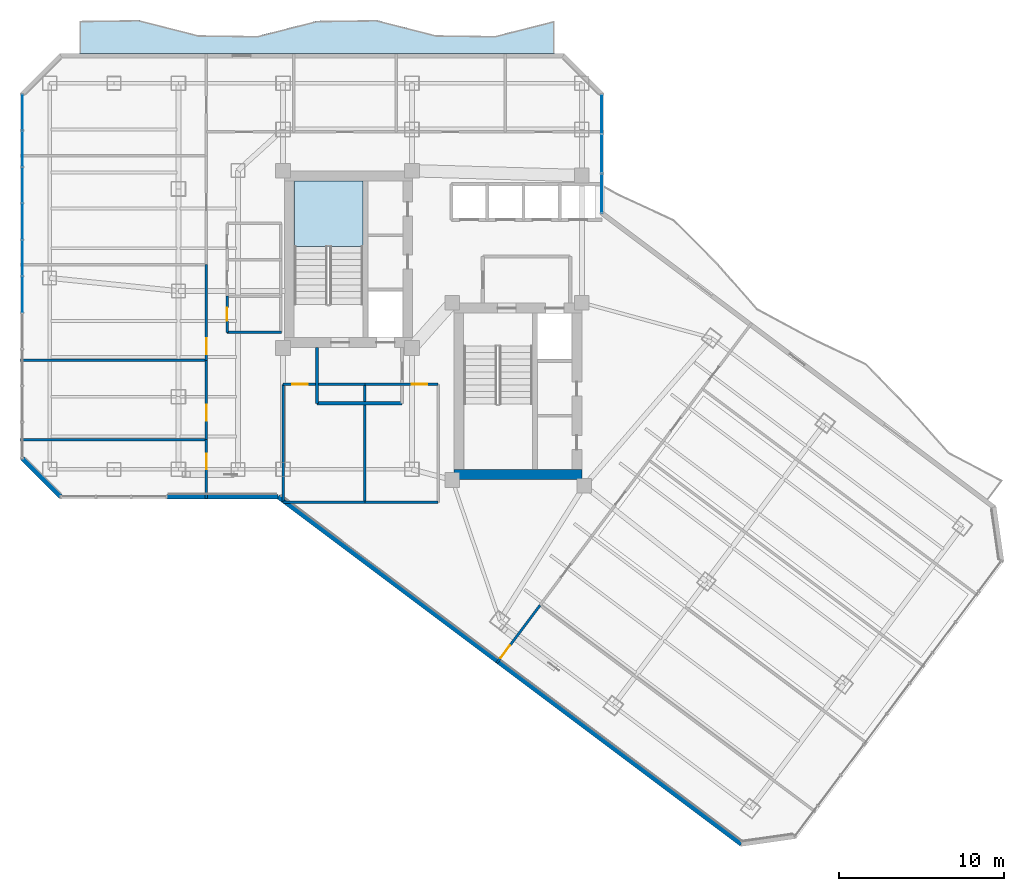
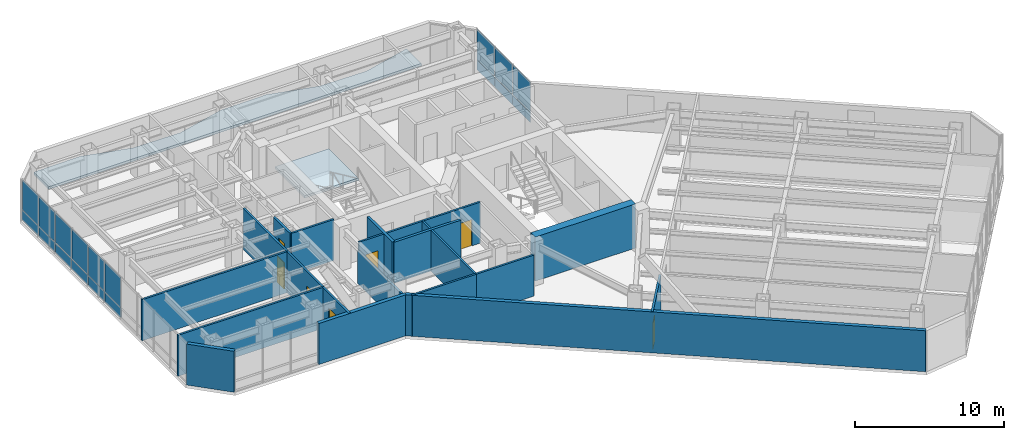
# One storey, part 23 of 31: 20 walls, 18 plates, 7 doors, 2 slabs, 7 openings, 3 elements without a shape of their own.
"""IFC4 building model written with IfcOpenShell, lengths in metres."""

from ifc_helpers import new_model, si_unit, direction, frame, frame_2d, origin, origin_2d, place, context, subcontext, project, spatial, polyline, rectangle, outline, extrude, material, layer, layer_set, type_object, element, fill, aggregate, save


model = new_model("IFC4")

# Units and contexts
model_context = context("Model", 3, precision=1e-05, world=origin(), true_north=direction((0.0, 1.0)))
body_context = subcontext(model_context, "Body", "Model", "MODEL_VIEW")
ifc_project = project(units=[si_unit("LENGTHUNIT", "METRE"), si_unit("AREAUNIT", "SQUARE_METRE"), si_unit("VOLUMEUNIT", "CUBIC_METRE"), si_unit("PLANEANGLEUNIT", "RADIAN"), si_unit("MASSUNIT", "GRAM", prefix="KILO")], contexts=[model_context])

# Site, building, storey
site_placement = place(None, origin())
site = spatial("IfcSite", under=ifc_project, at=site_placement, CompositionType="ELEMENT")
building_placement = place(site_placement, origin())
building = spatial("IfcBuilding", under=site, at=building_placement, Name="Hatsunagi Terrace Concourse", CompositionType="ELEMENT")
storey_placement = place(building_placement, frame((0.0, 0.0, 122.85009765625)))
storey = spatial("IfcBuildingStorey", under=building, at=storey_placement, Name="L32", CompositionType="ELEMENT", Elevation=122.85009765625)

# Curtain wall, plates
ifc_material_1 = material(Name="Anodised Aluminium Alloy 6063-T5", Category="aluminium")
ifc_layer_1 = layer(ifc_material_1, 0.199951171875)
ifc_layer_set_1 = layer_set([ifc_layer_1], Name="OfficeZone1_CW03")
curtain_wall_type = type_object("IfcCurtainWallType", Name="OfficeZone1_CW03", PredefinedType="NOTDEFINED", material=ifc_layer_set_1)
curtain_wall_1_placement = place(storey_placement, origin())
curtain_wall_1 = element("IfcCurtainWall", 1, at=curtain_wall_1_placement, inside=storey, type_object=curtain_wall_type, Name="Unitised Curtain Wall CW-03 CW-L32-09", PredefinedType="NOTDEFINED")
ifc_material_2 = material(Name="Warm Terracotta Ceramic Spandrel Panel", Category="masonry")
ifc_layer_2 = layer(ifc_material_2, 0.031982421875)
ifc_layer_set_2 = layer_set([ifc_layer_2], Name="CurtainWallSpandrelPanel_32")
plate_type_1 = type_object("IfcPlateType", Name="CurtainWallSpandrelPanel_32", PredefinedType="SHEET", material=ifc_layer_set_2)
plate_1_placement = place(storey_placement, frame((9.739990234375, 35.7958984375, 0.02978515625), z_axis=(0.0, 0.0, 1.0), x_axis=(0.0, 1.0, 0.0)))
plate_1 = element("IfcPlate", 2, at=plate_1_placement, type_object=plate_type_1, Name="Terracotta Spandrel Panel SPN-01", PredefinedType="SHEET", context=body_context, shape_type="SweptSolid", body=[
    extrude(rectangle(XDim=2.153076171875, YDim=0.031982421875, at=origin_2d()), origin(), (0.0, 0.0, 1.0), 0.7900390625),
])
plate_2_placement = place(storey_placement, frame((9.739990234375, 38.00390625, 0.02978515625), z_axis=(0.0, 0.0, 1.0), x_axis=(0.0, 1.0, 0.0)))
plate_2 = element("IfcPlate", 3, at=plate_2_placement, type_object=plate_type_1, Name="Terracotta Spandrel Panel SPN-01", PredefinedType="SHEET", context=body_context, shape_type="SweptSolid", body=[
    extrude(rectangle(XDim=2.153076171875, YDim=0.031982421875, at=origin_2d()), origin(), (0.0, 0.0, 1.0), 0.7900390625),
])
plate_3_placement = place(storey_placement, frame((9.739990234375, 40.212890625, 0.02978515625), z_axis=(0.0, 0.0, 1.0), x_axis=(0.0, 1.0, 0.0)))
plate_3 = element("IfcPlate", 4, at=plate_3_placement, type_object=plate_type_1, Name="Terracotta Spandrel Panel SPN-01", PredefinedType="SHEET", context=body_context, shape_type="SweptSolid", body=[
    extrude(rectangle(XDim=2.153076171875, YDim=0.031982421875, at=origin_2d()), origin(), (0.0, 0.0, 1.0), 0.7900390625),
])
plate_4_placement = place(storey_placement, frame((9.739990234375, 42.4208984375, 0.02978515625), z_axis=(0.0, 0.0, 1.0), x_axis=(0.0, 1.0, 0.0)))
plate_4 = element("IfcPlate", 5, at=plate_4_placement, type_object=plate_type_1, Name="Terracotta Spandrel Panel SPN-01", PredefinedType="SHEET", context=body_context, shape_type="SweptSolid", body=[
    extrude(rectangle(XDim=2.153076171875, YDim=0.031982421875, at=origin_2d()), origin(), (0.0, 0.0, 1.0), 0.7900390625),
])
plate_5_placement = place(storey_placement, frame((9.739990234375, 44.62890625, 0.02978515625), z_axis=(0.0, 0.0, 1.0), x_axis=(0.0, 1.0, 0.0)))
plate_5 = element("IfcPlate", 6, at=plate_5_placement, type_object=plate_type_1, Name="Terracotta Spandrel Panel SPN-01", PredefinedType="SHEET", context=body_context, shape_type="SweptSolid", body=[
    extrude(rectangle(XDim=2.153076171875, YDim=0.031982421875, at=origin_2d()), origin(), (0.0, 0.0, 1.0), 0.7900390625),
])
plate_6_placement = place(storey_placement, frame((9.739990234375, 46.837890625, 0.02978515625), z_axis=(0.0, 0.0, 1.0), x_axis=(0.0, 1.0, 0.0)))
plate_6 = element("IfcPlate", 7, at=plate_6_placement, type_object=plate_type_1, Name="Terracotta Spandrel Panel SPN-01", PredefinedType="SHEET", context=body_context, shape_type="SweptSolid", body=[
    extrude(rectangle(XDim=2.153076171875, YDim=0.031982421875, at=origin_2d()), origin(), (0.0, 0.0, 1.0), 0.7900390625),
])

curtain_wall_2_placement = place(storey_placement, origin())
curtain_wall_2 = element("IfcCurtainWall", 8, at=curtain_wall_2_placement, inside=storey, type_object=curtain_wall_type, Name="Unitised Curtain Wall CW-03 CW-L32-13", PredefinedType="NOTDEFINED")
plate_7_placement = place(storey_placement, frame((44.860107421875, 46.739990234375, 0.02978515625), z_axis=(0.0, 0.0, 1.0), x_axis=(0.0, -1.0, 0.0)))
plate_7 = element("IfcPlate", 9, at=plate_7_placement, type_object=plate_type_1, Name="Terracotta Spandrel Panel SPN-01", PredefinedType="SHEET", context=body_context, shape_type="SweptSolid", body=[
    extrude(rectangle(XDim=2.34912109375, YDim=0.031982421875, at=origin_2d()), origin(), (0.0, 0.0, 1.0), 0.7900390625),
])
plate_8_placement = place(storey_placement, frame((44.860107421875, 44.3359375, 0.02978515625), z_axis=(0.0, 0.0, 1.0), x_axis=(0.0, -1.0, 0.0)))
plate_8 = element("IfcPlate", 10, at=plate_8_placement, type_object=plate_type_1, Name="Terracotta Spandrel Panel SPN-01", PredefinedType="SHEET", context=body_context, shape_type="SweptSolid", body=[
    extrude(rectangle(XDim=2.34912109375, YDim=0.031982421875, at=origin_2d()), origin(), (0.0, 0.0, 1.0), 0.7900390625),
])
plate_9_placement = place(storey_placement, frame((44.860107421875, 41.931884765625, 0.02978515625), z_axis=(0.0, 0.0, 1.0), x_axis=(0.0, -1.0, 0.0)))
plate_9 = element("IfcPlate", 11, at=plate_9_placement, type_object=plate_type_1, Name="Terracotta Spandrel Panel SPN-01", PredefinedType="SHEET", context=body_context, shape_type="SweptSolid", body=[
    extrude(rectangle(XDim=2.34912109375, YDim=0.031982421875, at=origin_2d()), origin(), (0.0, 0.0, 1.0), 0.7900390625),
])

# Plate
ifc_material_3 = material(Name="Low-E Double Insulating Glass 28mm", Category="glass")
ifc_layer_3 = layer(ifc_material_3, 0.028076171875)
ifc_layer_set_3 = layer_set([ifc_layer_3], Name="CurtainWallVisionGlass_28")
plate_type_2 = type_object("IfcPlateType", Name="CurtainWallVisionGlass_28", PredefinedType="CURTAIN_PANEL", material=ifc_layer_set_3)
plate_10_placement = place(storey_placement, frame((9.739990234375, 35.7958984375, 0.8798828125), z_axis=(0.0, 0.0, 1.0), x_axis=(0.0, 1.0, 0.0)))
plate_10 = element("IfcPlate", 12, at=plate_10_placement, type_object=plate_type_2, Name="Low-E Vision Glass Panel GLZ-01", PredefinedType="CURTAIN_PANEL", context=body_context, shape_type="SweptSolid", body=[
    extrude(rectangle(XDim=2.153076171875, YDim=0.028076171875, at=origin_2d()), origin(), (0.0, 0.0, 1.0), 2.43994140625),
])

plate_11_placement = place(storey_placement, frame((9.739990234375, 38.00390625, 0.8798828125), z_axis=(0.0, 0.0, 1.0), x_axis=(0.0, 1.0, 0.0)))
plate_11 = element("IfcPlate", 13, at=plate_11_placement, type_object=plate_type_2, Name="Low-E Vision Glass Panel GLZ-01", PredefinedType="CURTAIN_PANEL", context=body_context, shape_type="SweptSolid", body=[
    extrude(rectangle(XDim=2.153076171875, YDim=0.028076171875, at=origin_2d()), origin(), (0.0, 0.0, 1.0), 2.43994140625),
])

plate_12_placement = place(storey_placement, frame((9.739990234375, 40.212890625, 0.8798828125), z_axis=(0.0, 0.0, 1.0), x_axis=(0.0, 1.0, 0.0)))
plate_12 = element("IfcPlate", 14, at=plate_12_placement, type_object=plate_type_2, Name="Low-E Vision Glass Panel GLZ-01", PredefinedType="CURTAIN_PANEL", context=body_context, shape_type="SweptSolid", body=[
    extrude(rectangle(XDim=2.153076171875, YDim=0.028076171875, at=origin_2d()), origin(), (0.0, 0.0, 1.0), 2.43994140625),
])

plate_13_placement = place(storey_placement, frame((9.739990234375, 42.4208984375, 0.8798828125), z_axis=(0.0, 0.0, 1.0), x_axis=(0.0, 1.0, 0.0)))
plate_13 = element("IfcPlate", 15, at=plate_13_placement, type_object=plate_type_2, Name="Low-E Vision Glass Panel GLZ-01", PredefinedType="CURTAIN_PANEL", context=body_context, shape_type="SweptSolid", body=[
    extrude(rectangle(XDim=2.153076171875, YDim=0.028076171875, at=origin_2d()), origin(), (0.0, 0.0, 1.0), 2.43994140625),
])

plate_14_placement = place(storey_placement, frame((9.739990234375, 44.62890625, 0.8798828125), z_axis=(0.0, 0.0, 1.0), x_axis=(0.0, 1.0, 0.0)))
plate_14 = element("IfcPlate", 16, at=plate_14_placement, type_object=plate_type_2, Name="Low-E Vision Glass Panel GLZ-01", PredefinedType="CURTAIN_PANEL", context=body_context, shape_type="SweptSolid", body=[
    extrude(rectangle(XDim=2.153076171875, YDim=0.028076171875, at=origin_2d()), origin(), (0.0, 0.0, 1.0), 2.43994140625),
])

plate_15_placement = place(storey_placement, frame((9.739990234375, 46.837890625, 0.8798828125), z_axis=(0.0, 0.0, 1.0), x_axis=(0.0, 1.0, 0.0)))
plate_15 = element("IfcPlate", 17, at=plate_15_placement, type_object=plate_type_2, Name="Low-E Vision Glass Panel GLZ-01", PredefinedType="CURTAIN_PANEL", context=body_context, shape_type="SweptSolid", body=[
    extrude(rectangle(XDim=2.153076171875, YDim=0.028076171875, at=origin_2d()), origin(), (0.0, 0.0, 1.0), 2.43994140625),
])

aggregate(curtain_wall_1, [plate_1, plate_10, plate_2, plate_11, plate_3, plate_12, plate_4, plate_13, plate_5, plate_14, plate_6, plate_15])

plate_16_placement = place(storey_placement, frame((44.860107421875, 46.739990234375, 0.8798828125), z_axis=(0.0, 0.0, 1.0), x_axis=(0.0, -1.0, 0.0)))
plate_16 = element("IfcPlate", 18, at=plate_16_placement, type_object=plate_type_2, Name="Low-E Vision Glass Panel GLZ-01", PredefinedType="CURTAIN_PANEL", context=body_context, shape_type="SweptSolid", body=[
    extrude(rectangle(XDim=2.34912109375, YDim=0.028076171875, at=origin_2d()), origin(), (0.0, 0.0, 1.0), 2.43994140625),
])

plate_17_placement = place(storey_placement, frame((44.860107421875, 44.3359375, 0.8798828125), z_axis=(0.0, 0.0, 1.0), x_axis=(0.0, -1.0, 0.0)))
plate_17 = element("IfcPlate", 19, at=plate_17_placement, type_object=plate_type_2, Name="Low-E Vision Glass Panel GLZ-01", PredefinedType="CURTAIN_PANEL", context=body_context, shape_type="SweptSolid", body=[
    extrude(rectangle(XDim=2.34912109375, YDim=0.028076171875, at=origin_2d()), origin(), (0.0, 0.0, 1.0), 2.43994140625),
])

plate_18_placement = place(storey_placement, frame((44.860107421875, 41.931884765625, 0.8798828125), z_axis=(0.0, 0.0, 1.0), x_axis=(0.0, -1.0, 0.0)))
plate_18 = element("IfcPlate", 20, at=plate_18_placement, type_object=plate_type_2, Name="Low-E Vision Glass Panel GLZ-01", PredefinedType="CURTAIN_PANEL", context=body_context, shape_type="SweptSolid", body=[
    extrude(rectangle(XDim=2.34912109375, YDim=0.028076171875, at=origin_2d()), origin(), (0.0, 0.0, 1.0), 2.43994140625),
])

aggregate(curtain_wall_2, [plate_7, plate_16, plate_8, plate_17, plate_9, plate_18])

# Stair, slab
ifc_material_4 = material(Name="Concrete Fc42", Category="concrete")
stair_type = type_object("IfcStairType", Name="DoglegExitStair_Tower2000_20R_180", PredefinedType="HALF_TURN_STAIR", material=ifc_material_4)
stair_placement = place(storey_placement, origin())
stair = element("IfcStair", 21, at=stair_placement, inside=storey, type_object=stair_type, Name="L32 Core A Protected Exit Stair ST-A", PredefinedType="HALF_TURN_STAIR")
ifc_material_5 = material(Name="Concrete Fc42", Category="concrete")
ifc_layer_4 = layer(ifc_material_5, 0.199951171875)
ifc_layer_set_4 = layer_set([ifc_layer_4], Name="DoglegStairLanding_Tower2000")
slab_type_1 = type_object("IfcSlabType", Name="DoglegStairLanding_Tower2000", PredefinedType="LANDING", material=ifc_layer_set_4)
slab_1_placement = place(storey_placement, frame((0.0, 0.0, 1.599853515625)))
slab_1 = element("IfcSlab", 22, at=slab_1_placement, type_object=slab_type_1, Name="ST-A landing 1", PredefinedType="LANDING", context=body_context, shape_type="SweptSolid", body=[
    extrude(outline(polyline([(30.3798828125, 38.7099609375), (30.3798828125, 42.659912109375), (26.22998046875, 42.659912109375), (26.22998046875, 38.7099609375), (30.3798828125, 38.7099609375)])), origin(), (0.0, 0.0, 1.0), 0.199951171875),
])
aggregate(stair, [slab_1])

# Slab
ifc_material_6 = material(Name="Concrete Fc42", Category="concrete")
ifc_layer_5 = layer(ifc_material_6, 0.199951171875)
ifc_layer_set_5 = layer_set([ifc_layer_5], Name="EngawaBalconySlab_Fc42_200")
slab_type_2 = type_object("IfcSlabType", Name="EngawaBalconySlab_Fc42_200", PredefinedType="FLOOR", material=ifc_layer_set_5)
slab_2_placement = place(storey_placement, frame((0.0, 0.0, -0.2001953125)))
element("IfcSlab", 23, at=slab_2_placement, inside=storey, type_object=slab_type_2, Name="Engawa Balcony Slab BAL-L32-BN", PredefinedType="FLOOR", context=body_context, shape_type="SweptSolid", body=[
    extrude(outline(polyline([(13.199951171875, 52.385009765625), (13.199951171875, 50.39990234375), (42.0, 50.39990234375), (42.0, 52.385009765625), (38.39990234375, 51.467041015625), (34.800048828125, 51.514892578125), (31.199951171875, 52.43310546875), (27.60009765625, 52.385009765625), (24.0, 51.467041015625), (20.39990234375, 51.514892578125), (16.800048828125, 52.43310546875), (13.199951171875, 52.385009765625)])), origin(), (0.0, 0.0, 1.0), 0.2001953125),
])

# Walls
ifc_material_7 = material(Name="Concrete Fc48", Category="concrete")
ifc_layer_6 = layer(ifc_material_7, 0.60009765625)
ifc_layer_set_6 = layer_set([ifc_layer_6], Name="CoreShearWall_Fc48_600")
wall_type_1 = type_object("IfcWallType", Name="CoreShearWall_Fc48_600", PredefinedType="SHEAR", material=ifc_layer_set_6)
wall_1_placement = place(storey_placement, frame((35.889892578125, 24.889892578125, 0.0), z_axis=(0.0, 0.0, 1.0), x_axis=(1.0, 0.0, 0.0)))
element("IfcWall", 24, at=wall_1_placement, inside=storey, type_object=wall_type_1, Name="Core B Shear Wall S L32", PredefinedType="SHEAR", context=body_context, shape_type="SweptSolid", body=[
    extrude(rectangle(XDim=7.760009765625, YDim=0.60009765625, at=frame_2d((3.8798828125, 0.0))), origin(), (0.0, 0.0, 1.0), 3.599853515625),
])
ifc_material_8 = material(Name="Acoustic mineral board", Category="gypsum")
ifc_layer_7 = layer(ifc_material_8, 0.14990234375)
ifc_layer_set_7 = layer_set([ifc_layer_7], Name="PartitionWall_EI60_150")
wall_type_2 = type_object("IfcWallType", Name="PartitionWall_EI60_150", PredefinedType="PARTITIONING", material=ifc_layer_set_7)
wall_2_placement = place(storey_placement, frame((22.14990234375, 33.5, 0.0), z_axis=(0.0, 0.0, 1.0), x_axis=(1.0, 0.0, 0.0)))
element("IfcWall", 25, at=wall_2_placement, inside=storey, type_object=wall_type_2, Name="Interior Partition IW-L32-017", PredefinedType="PARTITIONING", context=body_context, shape_type="SweptSolid", body=[
    extrude(rectangle(XDim=3.300048828125, YDim=0.14990234375, at=frame_2d((1.64990234375, 0.0))), origin(), (0.0, 0.0, 1.0), 3.349853515625),
])

# Wall, opening, door
wall_3_placement = place(storey_placement, frame((22.14990234375, 33.5, 0.0), z_axis=(0.0, 0.0, 1.0), x_axis=(0.0, 1.0, 0.0)))
wall_3 = element("IfcWall", 26, at=wall_3_placement, inside=storey, type_object=wall_type_2, Name="Interior Partition IW-L32-022", PredefinedType="PARTITIONING", context=body_context, shape_type="SweptSolid", body=[
    extrude(rectangle(XDim=2.199951171875, YDim=0.14990234375, at=frame_2d((1.10009765625, 0.0))), origin(), (0.0, 0.0, 1.0), 3.349853515625),
])
opening_1_placement = place(wall_3_placement, frame((0.699951171875, 0.0, 0.0)))
opening_1 = element("IfcOpeningElement", 27, at=opening_1_placement, cuts=wall_3, Name="Opening DR-080", PredefinedType="OPENING", context=body_context, shape_type="SweptSolid", body=[
    extrude(rectangle(XDim=0.800048828125, YDim=2.06005859375, at=frame_2d((0.39990234375, 1.030029296875))), frame((0.0, 0.0849609375, 0.0), z_axis=(0.0, -1.0, 0.0), x_axis=(1.0, 0.0, 0.0)), (0.0, 0.0, 1.0), 0.169921875),
])
ifc_material_9 = material(Name="Hardwood timber", Category="wood")
door_type_1 = type_object("IfcDoorType", Name="BathroomDoor_800", OperationType="NOTDEFINED", PredefinedType="DOOR", material=ifc_material_9)
door_1_placement = place(opening_1_placement, origin())
door_1 = element("IfcDoor", 28, at=door_1_placement, inside=storey, type_object=door_type_1, Name="Accessible WC Door L32", OperationType="SINGLE_SWING_RIGHT", OverallHeight=2.06005859375, OverallWidth=0.800048828125, PredefinedType="DOOR", context=body_context, shape_type="SweptSolid", body=[
    extrude(rectangle(XDim=0.800048828125, YDim=2.06005859375, at=frame_2d((0.39990234375, 1.030029296875))), frame((0.0, 0.02490234375, 0.0), z_axis=(0.0, -1.0, 0.0), x_axis=(1.0, 0.0, 0.0)), (0.0, 0.0, 1.0), 0.050048828125),
])
fill(opening_1, door_1)

# Wall
wall_4_placement = place(storey_placement, frame((25.550048828125, 23.199951171875, 0.0), z_axis=(0.0, 0.0, 1.0), x_axis=(1.0, 0.0, 0.0)))
element("IfcWall", 29, at=wall_4_placement, inside=storey, type_object=wall_type_2, Name="Interior Partition IW-L32-025", PredefinedType="PARTITIONING", context=body_context, shape_type="SweptSolid", body=[
    extrude(rectangle(XDim=4.949951171875, YDim=0.14990234375, at=frame_2d((2.47509765625, 0.0))), origin(), (0.0, 0.0, 1.0), 3.349853515625),
])

# Wall, opening, door
wall_5_placement = place(storey_placement, frame((25.550048828125, 30.35009765625, 0.0), z_axis=(0.0, 0.0, 1.0), x_axis=(1.0, 0.0, 0.0)))
wall_5 = element("IfcWall", 30, at=wall_5_placement, inside=storey, type_object=wall_type_2, Name="Interior Partition IW-L32-026", PredefinedType="PARTITIONING", context=body_context, shape_type="SweptSolid", body=[
    extrude(rectangle(XDim=4.949951171875, YDim=0.14990234375, at=frame_2d((2.47509765625, 0.0))), origin(), (0.0, 0.0, 1.0), 3.349853515625),
])
opening_2_placement = place(wall_5_placement, frame((0.5419921875, 0.0, 0.0)))
opening_2 = element("IfcOpeningElement", 31, at=opening_2_placement, cuts=wall_5, Name="Opening DR-095", PredefinedType="OPENING", context=body_context, shape_type="SweptSolid", body=[
    extrude(rectangle(XDim=0.949951171875, YDim=2.14990234375, at=frame_2d((0.47509765625, 1.074951171875))), frame((0.0, 0.0849609375, 0.0), z_axis=(0.0, -1.0, 0.0), x_axis=(1.0, 0.0, 0.0)), (0.0, 0.0, 1.0), 0.169921875),
])
ifc_material_10 = material(Name="Hardwood timber", Category="wood")
door_type_2 = type_object("IfcDoorType", Name="InteriorSuiteDoor_EI30_950", OperationType="NOTDEFINED", PredefinedType="DOOR", material=ifc_material_10)
door_2_placement = place(opening_2_placement, origin())
door_2 = element("IfcDoor", 32, at=door_2_placement, inside=storey, type_object=door_type_2, Name="Breakout Pantry L32-RECL1 Door", OperationType="SINGLE_SWING_RIGHT", OverallHeight=2.14990234375, OverallWidth=0.949951171875, PredefinedType="DOOR", context=body_context, shape_type="SweptSolid", body=[
    extrude(rectangle(XDim=0.949951171875, YDim=2.14990234375, at=frame_2d((0.47509765625, 1.074951171875))), frame((0.0, 0.02490234375, 0.0), z_axis=(0.0, -1.0, 0.0), x_axis=(1.0, 0.0, 0.0)), (0.0, 0.0, 1.0), 0.050048828125),
])
fill(opening_2, door_2)

# Walls
wall_6_placement = place(storey_placement, frame((25.550048828125, 23.199951171875, 0.0), z_axis=(0.0, 0.0, 1.0), x_axis=(0.0, 1.0, 0.0)))
element("IfcWall", 33, at=wall_6_placement, inside=storey, type_object=wall_type_2, Name="Interior Partition IW-L32-027", PredefinedType="PARTITIONING", context=body_context, shape_type="SweptSolid", body=[
    extrude(rectangle(XDim=7.150146484375, YDim=0.14990234375, at=frame_2d((3.5751953125, 0.0))), origin(), (0.0, 0.0, 1.0), 2.69482421875),
])
wall_7_placement = place(storey_placement, frame((30.5, 23.199951171875, 0.0), z_axis=(0.0, 0.0, 1.0), x_axis=(0.0, 1.0, 0.0)))
element("IfcWall", 34, at=wall_7_placement, inside=storey, type_object=wall_type_2, Name="Interior Partition IW-L32-028", PredefinedType="PARTITIONING", context=body_context, shape_type="SweptSolid", body=[
    extrude(rectangle(XDim=7.150146484375, YDim=0.14990234375, at=frame_2d((3.5751953125, 0.0))), origin(), (0.0, 0.0, 1.0), 3.349853515625),
])
wall_8_placement = place(storey_placement, frame((30.5, 23.199951171875, 0.0), z_axis=(0.0, 0.0, 1.0), x_axis=(1.0, 0.0, 0.0)))
element("IfcWall", 35, at=wall_8_placement, inside=storey, type_object=wall_type_2, Name="Interior Partition IW-L32-029", PredefinedType="PARTITIONING", context=body_context, shape_type="SweptSolid", body=[
    extrude(rectangle(XDim=4.449951171875, YDim=0.14990234375, at=frame_2d((2.22509765625, 0.0))), origin(), (0.0, 0.0, 1.0), 3.349853515625),
])

# Wall, opening, door
wall_9_placement = place(storey_placement, frame((30.5, 30.35009765625, 0.0), z_axis=(0.0, 0.0, 1.0), x_axis=(1.0, 0.0, 0.0)))
wall_9 = element("IfcWall", 36, at=wall_9_placement, inside=storey, type_object=wall_type_2, Name="Interior Partition IW-L32-030", PredefinedType="PARTITIONING", context=body_context, shape_type="SweptSolid", body=[
    extrude(rectangle(XDim=4.449951171875, YDim=0.14990234375, at=frame_2d((2.22509765625, 0.0))), origin(), (0.0, 0.0, 1.0), 3.349853515625),
])
opening_3_placement = place(wall_9_placement, frame((2.845947265625, 0.0, 0.0)))
opening_3 = element("IfcOpeningElement", 37, at=opening_3_placement, cuts=wall_9, Name="Opening DR-095", PredefinedType="OPENING", context=body_context, shape_type="SweptSolid", body=[
    extrude(rectangle(XDim=0.949951171875, YDim=2.14990234375, at=frame_2d((0.47509765625, 1.074951171875))), frame((0.0, 0.0849609375, 0.0), z_axis=(0.0, -1.0, 0.0), x_axis=(1.0, 0.0, 0.0)), (0.0, 0.0, 1.0), 0.169921875),
])
door_3_placement = place(opening_3_placement, origin())
door_3 = element("IfcDoor", 38, at=door_3_placement, inside=storey, type_object=door_type_2, Name="Focus Room L32-RECL2 Door", OperationType="SINGLE_SWING_RIGHT", OverallHeight=2.14990234375, OverallWidth=0.949951171875, PredefinedType="DOOR", context=body_context, shape_type="SweptSolid", body=[
    extrude(rectangle(XDim=0.949951171875, YDim=2.14990234375, at=frame_2d((0.47509765625, 1.074951171875))), frame((0.0, 0.02490234375, 0.0), z_axis=(0.0, -1.0, 0.0), x_axis=(1.0, 0.0, 0.0)), (0.0, 0.0, 1.0), 0.050048828125),
])
fill(opening_3, door_3)

# Wall
wall_10_placement = place(storey_placement, frame((9.639892578125, 27.0, 0.0), z_axis=(0.0, 0.0, 1.0), x_axis=(1.0, 0.0, 0.0)))
element("IfcWall", 39, at=wall_10_placement, inside=storey, type_object=wall_type_2, Name="Interior Partition IW-L32-032", PredefinedType="PARTITIONING", context=body_context, shape_type="SweptSolid", body=[
    extrude(rectangle(XDim=11.260009765625, YDim=0.14990234375, at=frame_2d((5.6298828125, 0.0))), origin(), (0.0, 0.0, 1.0), 3.349853515625),
])

# Wall, opening, door
wall_11_placement = place(storey_placement, frame((20.89990234375, 23.43994140625, 0.0), z_axis=(0.0, 0.0, 1.0), x_axis=(0.0, 1.0, 0.0)))
wall_11 = element("IfcWall", 40, at=wall_11_placement, inside=storey, type_object=wall_type_2, Name="Interior Partition IW-L32-033", PredefinedType="PARTITIONING", context=body_context, shape_type="SweptSolid", body=[
    extrude(rectangle(XDim=3.56005859375, YDim=0.14990234375, at=frame_2d((1.780029296875, 0.0))), origin(), (0.0, 0.0, 1.0), 3.349853515625),
])
opening_4_placement = place(wall_11_placement, frame((1.7490234375, 0.0, 0.0)))
opening_4 = element("IfcOpeningElement", 41, at=opening_4_placement, cuts=wall_11, Name="Opening DR-095", PredefinedType="OPENING", context=body_context, shape_type="SweptSolid", body=[
    extrude(rectangle(XDim=0.949951171875, YDim=2.14990234375, at=frame_2d((0.47509765625, 1.074951171875))), frame((0.0, 0.0849609375, 0.0), z_axis=(0.0, -1.0, 0.0), x_axis=(1.0, 0.0, 0.0)), (0.0, 0.0, 1.0), 0.169921875),
])
door_4_placement = place(opening_4_placement, origin())
door_4 = element("IfcDoor", 42, at=door_4_placement, inside=storey, type_object=door_type_2, Name="Focus Room L32-OW1 Door", OperationType="SINGLE_SWING_RIGHT", OverallHeight=2.14990234375, OverallWidth=0.949951171875, PredefinedType="DOOR", context=body_context, shape_type="SweptSolid", body=[
    extrude(rectangle(XDim=0.949951171875, YDim=2.14990234375, at=frame_2d((0.47509765625, 1.074951171875))), frame((0.0, 0.02490234375, 0.0), z_axis=(0.0, -1.0, 0.0), x_axis=(1.0, 0.0, 0.0)), (0.0, 0.0, 1.0), 0.050048828125),
])
fill(opening_4, door_4)

# Wall
wall_12_placement = place(storey_placement, frame((9.639892578125, 31.800048828125, 0.0), z_axis=(0.0, 0.0, 1.0), x_axis=(1.0, 0.0, 0.0)))
element("IfcWall", 43, at=wall_12_placement, inside=storey, type_object=wall_type_2, Name="Interior Partition IW-L32-034", PredefinedType="PARTITIONING", context=body_context, shape_type="SweptSolid", body=[
    extrude(rectangle(XDim=11.260009765625, YDim=0.14990234375, at=frame_2d((5.6298828125, 0.0))), origin(), (0.0, 0.0, 1.0), 3.349853515625),
])

# Wall, opening, door
wall_13_placement = place(storey_placement, frame((20.89990234375, 27.0, 0.0), z_axis=(0.0, 0.0, 1.0), x_axis=(0.0, 1.0, 0.0)))
wall_13 = element("IfcWall", 44, at=wall_13_placement, inside=storey, type_object=wall_type_2, Name="Interior Partition IW-L32-035", PredefinedType="PARTITIONING", context=body_context, shape_type="SweptSolid", body=[
    extrude(rectangle(XDim=4.800048828125, YDim=0.14990234375, at=frame_2d((2.39990234375, 0.0))), origin(), (0.0, 0.0, 1.0), 3.349853515625),
])
opening_5_placement = place(wall_13_placement, frame((1.153076171875, 0.0, 0.0)))
opening_5 = element("IfcOpeningElement", 45, at=opening_5_placement, cuts=wall_13, Name="Opening DR-095", PredefinedType="OPENING", context=body_context, shape_type="SweptSolid", body=[
    extrude(rectangle(XDim=0.949951171875, YDim=2.14990234375, at=frame_2d((0.47509765625, 1.074951171875))), frame((0.0, 0.0849609375, 0.0), z_axis=(0.0, -1.0, 0.0), x_axis=(1.0, 0.0, 0.0)), (0.0, 0.0, 1.0), 0.169921875),
])
door_5_placement = place(opening_5_placement, origin())
door_5 = element("IfcDoor", 46, at=door_5_placement, inside=storey, type_object=door_type_2, Name="Executive Office L32-OW2 Door", OperationType="SINGLE_SWING_RIGHT", OverallHeight=2.14990234375, OverallWidth=0.949951171875, PredefinedType="DOOR", context=body_context, shape_type="SweptSolid", body=[
    extrude(rectangle(XDim=0.949951171875, YDim=2.14990234375, at=frame_2d((0.47509765625, 1.074951171875))), frame((0.0, 0.02490234375, 0.0), z_axis=(0.0, -1.0, 0.0), x_axis=(1.0, 0.0, 0.0)), (0.0, 0.0, 1.0), 0.050048828125),
])
fill(opening_5, door_5)

wall_14_placement = place(storey_placement, frame((20.89990234375, 31.800048828125, 0.0), z_axis=(0.0, 0.0, 1.0), x_axis=(0.0, 1.0, 0.0)))
wall_14 = element("IfcWall", 47, at=wall_14_placement, inside=storey, type_object=wall_type_2, Name="Interior Partition IW-L32-037", PredefinedType="PARTITIONING", context=body_context, shape_type="SweptSolid", body=[
    extrude(rectangle(XDim=5.800048828125, YDim=0.14990234375, at=frame_2d((2.89990234375, 0.0))), origin(), (0.0, 0.0, 1.0), 3.349853515625),
])
opening_6_placement = place(wall_14_placement, frame((0.3798828125, 0.0, 0.0)))
opening_6 = element("IfcOpeningElement", 48, at=opening_6_placement, cuts=wall_14, Name="Opening DR-095", PredefinedType="OPENING", context=body_context, shape_type="SweptSolid", body=[
    extrude(rectangle(XDim=0.949951171875, YDim=2.14990234375, at=frame_2d((0.47509765625, 1.074951171875))), frame((0.0, 0.0849609375, 0.0), z_axis=(0.0, -1.0, 0.0), x_axis=(1.0, 0.0, 0.0)), (0.0, 0.0, 1.0), 0.169921875),
])
door_6_placement = place(opening_6_placement, origin())
door_6 = element("IfcDoor", 49, at=door_6_placement, inside=storey, type_object=door_type_2, Name="Team Innovation Studio L32-OW3 Door", OperationType="SINGLE_SWING_RIGHT", OverallHeight=2.14990234375, OverallWidth=0.949951171875, PredefinedType="DOOR", context=body_context, shape_type="SweptSolid", body=[
    extrude(rectangle(XDim=0.949951171875, YDim=2.14990234375, at=frame_2d((0.47509765625, 1.074951171875))), frame((0.0, 0.02490234375, 0.0), z_axis=(0.0, -1.0, 0.0), x_axis=(1.0, 0.0, 0.0)), (0.0, 0.0, 1.0), 0.050048828125),
])
fill(opening_6, door_6)

wall_15_placement = place(storey_placement, frame((38.50390625, 13.471923828125, 0.0), z_axis=(0.0, 0.0, 1.0), x_axis=(0.600026876565, 0.799979841871, 0.0)))
wall_15 = element("IfcWall", 50, at=wall_15_placement, inside=storey, type_object=wall_type_2, Name="Interior Partition IW-L32-049", PredefinedType="PARTITIONING", context=body_context, shape_type="SweptSolid", body=[
    extrude(rectangle(XDim=4.360107421875, YDim=0.14990234375, at=frame_2d((2.18017578125, 0.0))), origin(), (0.0, 0.0, 1.0), 3.349853515625),
])
opening_7_placement = place(wall_15_placement, frame((0.3798828125, 0.0, 0.0)))
opening_7 = element("IfcOpeningElement", 51, at=opening_7_placement, cuts=wall_15, Name="Opening DR-095", PredefinedType="OPENING", context=body_context, shape_type="SweptSolid", body=[
    extrude(rectangle(XDim=0.949951171875, YDim=2.14990234375, at=frame_2d((0.47509765625, 1.074951171875))), frame((0.0, 0.0849609375, 0.0), z_axis=(0.0, -1.0, 0.0), x_axis=(1.0, 0.0, 0.0)), (0.0, 0.0, 1.0), 0.169921875),
])
door_7_placement = place(opening_7_placement, origin())
door_7 = element("IfcDoor", 52, at=door_7_placement, inside=storey, type_object=door_type_2, Name="Focus Room L32-OSE1 Door", OperationType="SINGLE_SWING_RIGHT", OverallHeight=2.14990234375, OverallWidth=0.949951171875, PredefinedType="DOOR", context=body_context, shape_type="SweptSolid", body=[
    extrude(rectangle(XDim=0.949951171875, YDim=2.14990234375, at=frame_2d((0.47509765625, 1.074951171875))), frame((0.0, 0.02490234375, 0.0), z_axis=(0.0, -1.0, 0.0), x_axis=(1.0, 0.0, 0.0)), (0.0, 0.0, 1.0), 0.050048828125),
])
fill(opening_7, door_7)

# Walls
ifc_material_11 = material(Name="Acoustic mineral board", Category="gypsum")
ifc_layer_8 = layer(ifc_material_11, 0.199951171875)
ifc_layer_set_8 = layer_set([ifc_layer_8], Name="ShaftWall_EI120_200")
wall_type_3 = type_object("IfcWallType", Name="ShaftWall_EI120_200", PredefinedType="STANDARD", material=ifc_layer_set_8)
wall_16_placement = place(storey_placement, frame((27.60009765625, 29.199951171875, 0.0), z_axis=(0.0, 0.0, 1.0), x_axis=(1.0, 0.0, 0.0)))
element("IfcWall", 53, at=wall_16_placement, inside=storey, type_object=wall_type_3, Name="Interior Partition IW-L32-005", PredefinedType="STANDARD", context=body_context, shape_type="SweptSolid", body=[
    extrude(rectangle(XDim=5.14990234375, YDim=0.199951171875, at=frame_2d((2.574951171875, 0.0))), origin(), (0.0, 0.0, 1.0), 3.349853515625),
])
wall_17_placement = place(storey_placement, frame((27.60009765625, 29.199951171875, 0.0), z_axis=(0.0, 0.0, 1.0), x_axis=(0.0, 1.0, 0.0)))
element("IfcWall", 54, at=wall_17_placement, inside=storey, type_object=wall_type_3, Name="Interior Partition IW-L32-006", PredefinedType="STANDARD", context=body_context, shape_type="SweptSolid", body=[
    extrude(rectangle(XDim=3.39013671875, YDim=0.199951171875, at=frame_2d((1.695068359375, 0.0))), origin(), (0.0, 0.0, 1.0), 3.349853515625),
])
ifc_material_12 = material(Name="Autoclaved Lightweight Concrete and Terracotta Cladding", Category="masonry")
ifc_layer_9 = layer(ifc_material_12, 0.280029296875)
ifc_layer_set_9 = layer_set([ifc_layer_9], Name="TerracottaSpandrelWall_280")
wall_type_4 = type_object("IfcWallType", Name="TerracottaSpandrelWall_280", PredefinedType="STANDARD", material=ifc_layer_set_9)
wall_18_placement = place(storey_placement, frame((53.318115234375, 2.487060546875, 0.0), z_axis=(0.0, 0.0, 1.0), x_axis=(-0.800004174678, 0.599994433723, 0.0)))
element("IfcWall", 55, at=wall_18_placement, inside=storey, type_object=wall_type_4, Name="Exterior Spandrel Wall EW-L32-05", PredefinedType="STANDARD", context=body_context, shape_type="SweptSolid", body=[
    extrude(rectangle(XDim=35.088623046875, YDim=0.280029296875, at=frame_2d((17.54443359375, 0.0))), origin(), (0.0, 0.0, 1.0), 3.349853515625),
])
wall_19_placement = place(storey_placement, frame((25.2470703125, 23.5400390625, 0.0), z_axis=(0.0, 0.0, 1.0), x_axis=(-1.0, 0.0, 0.0)))
element("IfcWall", 56, at=wall_19_placement, inside=storey, type_object=wall_type_4, Name="Exterior Spandrel Wall EW-L32-06", PredefinedType="STANDARD", context=body_context, shape_type="SweptSolid", body=[
    extrude(rectangle(XDim=6.7470703125, YDim=0.280029296875, at=frame_2d((3.37353515625, 0.0))), origin(), (0.0, 0.0, 1.0), 3.349853515625),
])
wall_20_placement = place(storey_placement, frame((12.05810546875, 23.5400390625, 0.0), z_axis=(0.0, 0.0, 1.0), x_axis=(-0.707144017911, 0.707069542501, 0.0)))
element("IfcWall", 57, at=wall_20_placement, inside=storey, type_object=wall_type_4, Name="Exterior Spandrel Wall EW-L32-08", PredefinedType="STANDARD", context=body_context, shape_type="SweptSolid", body=[
    extrude(rectangle(XDim=3.278076171875, YDim=0.280029296875, at=frame_2d((1.63916015625, 0.0))), origin(), (0.0, 0.0, 1.0), 3.349853515625),
])

save(model, "model.ifc")
